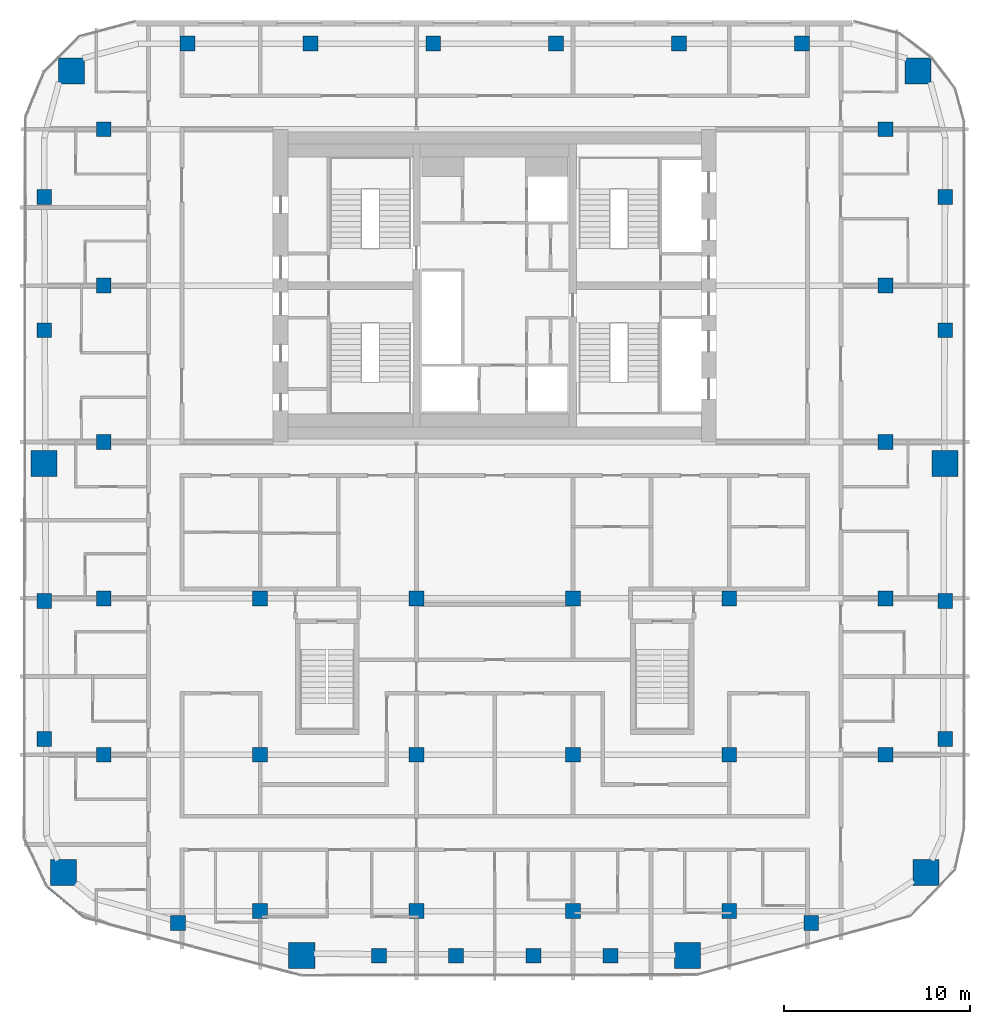
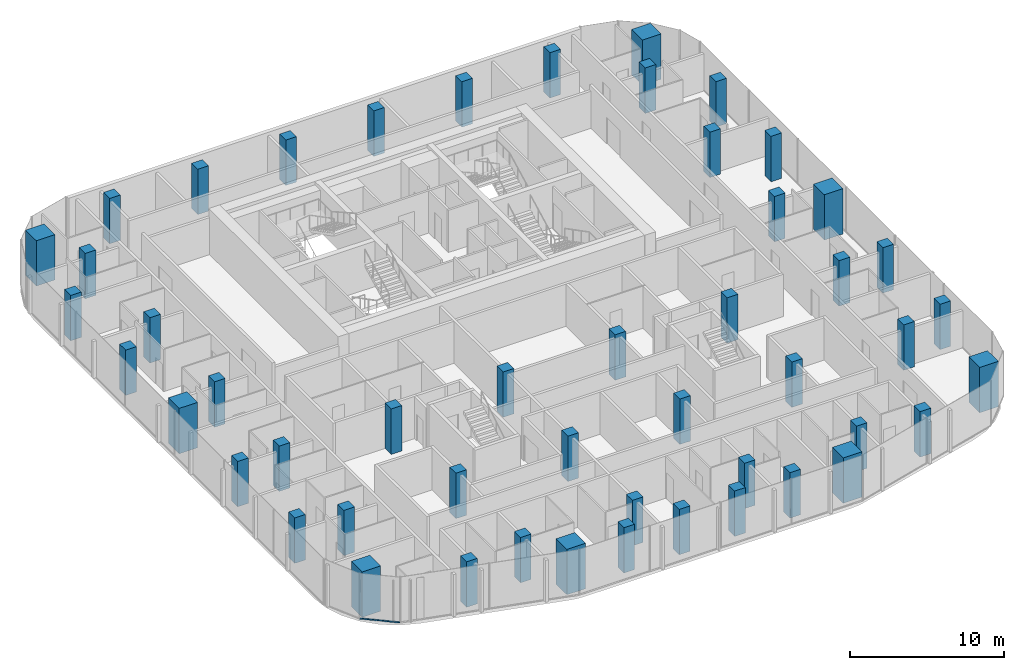
# One storey, part 1 of 22: 50 columns, 1 member, 1 element without a shape of its own.
"""IFC4 building model written with IfcOpenShell, lengths in metres."""

from ifc_helpers import new_model, si_unit, direction, frame, origin, origin_2d, place, context, subcontext, project, spatial, rectangle, extrude, material, layer, layer_set, material_profile, profile_set, type_object, element, aggregate, save


model = new_model("IFC4")

# Units and contexts
model_context = context("Model", 3, precision=1e-05, world=origin(), true_north=direction((0.0, 1.0)))
body_context = subcontext(model_context, "Body", "Model", "MODEL_VIEW")
ifc_project = project(units=[si_unit("LENGTHUNIT", "METRE"), si_unit("AREAUNIT", "SQUARE_METRE"), si_unit("VOLUMEUNIT", "CUBIC_METRE"), si_unit("PLANEANGLEUNIT", "RADIAN"), si_unit("MASSUNIT", "GRAM", prefix="KILO")], contexts=[model_context])

# Site, building, storey
site_placement = place(None, origin())
site = spatial("IfcSite", under=ifc_project, at=site_placement, CompositionType="ELEMENT")
building_placement = place(site_placement, origin())
building = spatial("IfcBuilding", under=site, at=building_placement, Name="Marenta Gate Hotel Tower", CompositionType="ELEMENT")
storey_placement = place(building_placement, frame((0.0, 0.0, 223.699951171875)))
storey = spatial("IfcBuildingStorey", under=building, at=storey_placement, Name="L52", CompositionType="ELEMENT", Elevation=223.699951171875)

# Columns
ifc_material_1 = material(Name="Concrete C60", Category="concrete")
ifc_material_profile_1 = material_profile(ifc_material_1, rectangle(XDim=0.800048828125, YDim=0.800048828125, at=origin_2d()), Name="800 x 800")
ifc_profile_set_1 = profile_set([ifc_material_profile_1], Name="Concrete C60")
column_type_1 = type_object("IfcColumnType", Name="Edge column 800 x 800 C60", PredefinedType="COLUMN", material=ifc_profile_set_1)
for number, where, z_axis, x_axis, name in (
    (1, (-24.199951171875, -15.951904296875, 0.0), (0.0, 0.0, 1.0), (1.0, 0.0, 0.0), "L52-EC-SW-W-1"),
    (2, (-24.199951171875, -8.55078125, 0.0), (0.0, 0.0, 1.0), (1.0, 0.0, 0.0), "L52-EC-SW-W-2"),
    (3, (-24.199951171875, 6.003173828125, 0.0), (0.0, 0.0, 1.0), (1.0, 0.0, 0.0), "L52-EC-W-NW-1"),
    (4, (-24.199951171875, 13.156494140625, 0.0), (0.0, 0.0, 1.0), (1.0, 0.0, 0.0), "L52-EC-W-NW-2"),
    (5, (-16.5068359375, 21.39990234375, 0.0), (0.0, 0.0, 1.0), (1.0, 0.0, 0.0), "L52-EC-NW-NE-1"),
    (6, (-9.904052734375, 21.39990234375, 0.0), (0.0, 0.0, 1.0), (1.0, 0.0, 0.0), "L52-EC-NW-NE-2"),
    (7, (-3.301513671875, 21.39990234375, 0.0), (0.0, 0.0, 1.0), (1.0, 0.0, 0.0), "L52-EC-NW-NE-3"),
    (8, (3.301513671875, 21.39990234375, 0.0), (0.0, 0.0, 1.0), (1.0, 0.0, 0.0), "L52-EC-NW-NE-4"),
    (9, (9.904052734375, 21.39990234375, 0.0), (0.0, 0.0, 1.0), (1.0, 0.0, 0.0), "L52-EC-NW-NE-5"),
    (10, (16.5068359375, 21.39990234375, 0.0), (0.0, 0.0, 1.0), (1.0, 0.0, 0.0), "L52-EC-NW-NE-6"),
    (11, (24.199951171875, 13.156494140625, 0.0), (0.0, 0.0, 1.0), (1.0, 0.0, 0.0), "L52-EC-NE-E-1"),
    (12, (24.199951171875, 6.003173828125, 0.0), (0.0, 0.0, 1.0), (1.0, 0.0, 0.0), "L52-EC-NE-E-2"),
    (13, (24.199951171875, -8.55078125, 0.0), (0.0, 0.0, 1.0), (1.0, 0.0, 0.0), "L52-EC-E-SE-1"),
    (14, (24.199951171875, -15.951904296875, 0.0), (0.0, 0.0, 1.0), (1.0, 0.0, 0.0), "L52-EC-E-SE-2"),
    (15, (17.0068359375, -25.839111328125, 0.0), (0.0, 0.0, 1.0), (1.0, 0.0, 0.0), "L52-EC-SE-SKE-1"),
    (16, (6.22021484375, -27.60009765625, 0.0), (0.0, 0.0, 1.0), (1.0, 0.0, 0.0), "L52-EC-SKE-SKW-1"),
    (17, (2.073486328125, -27.60009765625, 0.0), (0.0, 0.0, 1.0), (1.0, 0.0, 0.0), "L52-EC-SKE-SKW-2"),
    (18, (-2.073486328125, -27.60009765625, 0.0), (0.0, 0.0, 1.0), (1.0, 0.0, 0.0), "L52-EC-SKE-SKW-3"),
    (19, (-6.22021484375, -27.60009765625, 0.0), (0.0, 0.0, 1.0), (1.0, 0.0, 0.0), "L52-EC-SKE-SKW-4"),
    (20, (-17.0068359375, -25.839111328125, 0.0), (0.0, 0.0, 1.0), (1.0, 0.0, 0.0), "L52-EC-SKW-SW-1"),
):
    element("IfcColumn", number, at=place(storey_placement, frame(where, z_axis=z_axis, x_axis=x_axis)), inside=storey, type_object=column_type_1, Name=name, PredefinedType="COLUMN", context=body_context, shape_type="SweptSolid", body=[
        extrude(rectangle(XDim=0.800048828125, YDim=0.800048828125, at=origin_2d()), origin(), (0.0, 0.0, 1.0), 3.60009765625),
    ])
ifc_material_2 = material(Name="Concrete C60", Category="concrete")
ifc_material_profile_2 = material_profile(ifc_material_2, rectangle(XDim=0.800048828125, YDim=0.800048828125, at=origin_2d()), Name="800 x 800")
ifc_profile_set_2 = profile_set([ifc_material_profile_2], Name="Concrete C60")
column_type_2 = type_object("IfcColumnType", Name="Interior column 800 x 800 C60", PredefinedType="COLUMN", material=ifc_profile_set_2)
for number, where, z_axis, x_axis, name in (
    (21, (-21.0, -16.800048828125, 0.0), (0.0, 0.0, 1.0), (1.0, 0.0, 0.0), "L52-IC-4D"),
    (22, (-21.0, -8.39990234375, 0.0), (0.0, 0.0, 1.0), (1.0, 0.0, 0.0), "L52-IC-4E"),
    (23, (-21.0, 0.0, 0.0), (0.0, 0.0, 1.0), (1.0, 0.0, 0.0), "L52-IC-4F"),
    (24, (-21.0, 8.39990234375, 0.0), (0.0, 0.0, 1.0), (1.0, 0.0, 0.0), "L52-IC-4G"),
    (25, (-21.0, 16.800048828125, 0.0), (0.0, 0.0, 1.0), (1.0, 0.0, 0.0), "L52-IC-4H"),
    (26, (-12.60009765625, -25.199951171875, 0.0), (0.0, 0.0, 1.0), (1.0, 0.0, 0.0), "L52-IC-5C"),
    (27, (-12.60009765625, -16.800048828125, 0.0), (0.0, 0.0, 1.0), (1.0, 0.0, 0.0), "L52-IC-5D"),
    (28, (-12.60009765625, -8.39990234375, 0.0), (0.0, 0.0, 1.0), (1.0, 0.0, 0.0), "L52-IC-5E"),
    (29, (-4.199951171875, -25.199951171875, 0.0), (0.0, 0.0, 1.0), (1.0, 0.0, 0.0), "L52-IC-6C"),
    (30, (-4.199951171875, -16.800048828125, 0.0), (0.0, 0.0, 1.0), (1.0, 0.0, 0.0), "L52-IC-6D"),
    (31, (-4.199951171875, -8.39990234375, 0.0), (0.0, 0.0, 1.0), (1.0, 0.0, 0.0), "L52-IC-6E"),
    (32, (4.199951171875, -25.199951171875, 0.0), (0.0, 0.0, 1.0), (1.0, 0.0, 0.0), "L52-IC-7C"),
    (33, (4.199951171875, -16.800048828125, 0.0), (0.0, 0.0, 1.0), (1.0, 0.0, 0.0), "L52-IC-7D"),
    (34, (4.199951171875, -8.39990234375, 0.0), (0.0, 0.0, 1.0), (1.0, 0.0, 0.0), "L52-IC-7E"),
    (35, (12.60009765625, -25.199951171875, 0.0), (0.0, 0.0, 1.0), (1.0, 0.0, 0.0), "L52-IC-8C"),
    (36, (12.60009765625, -16.800048828125, 0.0), (0.0, 0.0, 1.0), (1.0, 0.0, 0.0), "L52-IC-8D"),
    (37, (12.60009765625, -8.39990234375, 0.0), (0.0, 0.0, 1.0), (1.0, 0.0, 0.0), "L52-IC-8E"),
    (38, (21.0, -16.800048828125, 0.0), (0.0, 0.0, 1.0), (1.0, 0.0, 0.0), "L52-IC-9D"),
    (39, (21.0, -8.39990234375, 0.0), (0.0, 0.0, 1.0), (1.0, 0.0, 0.0), "L52-IC-9E"),
    (40, (21.0, 0.0, 0.0), (0.0, 0.0, 1.0), (1.0, 0.0, 0.0), "L52-IC-9F"),
    (41, (21.0, 8.39990234375, 0.0), (0.0, 0.0, 1.0), (1.0, 0.0, 0.0), "L52-IC-9G"),
    (42, (21.0, 16.800048828125, 0.0), (0.0, 0.0, 1.0), (1.0, 0.0, 0.0), "L52-IC-9H"),
):
    element("IfcColumn", number, at=place(storey_placement, frame(where, z_axis=z_axis, x_axis=x_axis)), inside=storey, type_object=column_type_2, Name=name, PredefinedType="COLUMN", context=body_context, shape_type="SweptSolid", body=[
        extrude(rectangle(XDim=0.800048828125, YDim=0.800048828125, at=origin_2d()), origin(), (0.0, 0.0, 1.0), 3.60009765625),
    ])
ifc_material_3 = material(Name="Concrete C60", Category="concrete")
ifc_material_profile_3 = material_profile(ifc_material_3, rectangle(XDim=1.39990234375, YDim=1.39990234375, at=origin_2d()), Name="1400 x 1400")
ifc_profile_set_3 = profile_set([ifc_material_profile_3], Name="Concrete C60")
column_type_3 = type_object("IfcColumnType", Name="Mega column 1400 x 1400 C60", PredefinedType="COLUMN", material=ifc_profile_set_3)
for number, where, z_axis, x_axis, name in (
    (43, (-23.1630859375, -23.133056640625, 0.0), (0.0, 0.0, 1.0), (1.0, 0.0, 0.0), "L52-MC-SW"),
    (44, (-10.3662109375, -27.57470703125, 0.0), (0.0, 0.0, 1.0), (1.0, 0.0, 0.0), "L52-MC-SKW"),
    (45, (10.3662109375, -27.57470703125, 0.0), (0.0, 0.0, 1.0), (1.0, 0.0, 0.0), "L52-MC-SKE"),
    (46, (23.1630859375, -23.133056640625, 0.0), (0.0, 0.0, 1.0), (1.0, 0.0, 0.0), "L52-MC-SE"),
    (47, (24.199951171875, -1.14990234375, 0.0), (0.0, 0.0, 1.0), (1.0, 0.0, 0.0), "L52-MC-E"),
    (48, (22.735595703125, 19.935546875, 0.0), (0.0, 0.0, 1.0), (1.0, 0.0, 0.0), "L52-MC-NE"),
    (49, (-22.735595703125, 19.935546875, 0.0), (0.0, 0.0, 1.0), (1.0, 0.0, 0.0), "L52-MC-NW"),
    (50, (-24.199951171875, -1.14990234375, 0.0), (0.0, 0.0, 1.0), (1.0, 0.0, 0.0), "L52-MC-W"),
):
    element("IfcColumn", number, at=place(storey_placement, frame(where, z_axis=z_axis, x_axis=x_axis)), inside=storey, type_object=column_type_3, Name=name, PredefinedType="COLUMN", context=body_context, shape_type="SweptSolid", body=[
        extrude(rectangle(XDim=1.39990234375, YDim=1.39990234375, at=origin_2d()), origin(), (0.0, 0.0, 1.0), 3.60009765625),
    ])

# Curtain wall, member
ifc_material_4 = material(Name="Tinted insulated glass in bronze anodised frame", Category="glass")
ifc_layer = layer(ifc_material_4, 0.1201171875)
ifc_layer_set = layer_set([ifc_layer], Name="Tinted insulated glass in bronze anodised frame")
curtain_wall_type = type_object("IfcCurtainWallType", Name="Tower unitised curtain wall CW1", PredefinedType="NOTDEFINED", material=ifc_layer_set)
curtain_wall_placement = place(storey_placement, origin())
curtain_wall = element("IfcCurtainWall", 51, at=curtain_wall_placement, inside=storey, type_object=curtain_wall_type, Name="CW1 run G05", PredefinedType="NOTDEFINED")
ifc_material_5 = material(Name="Bronze anodised aluminium", Category="aluminium")
ifc_material_profile_4 = material_profile(ifc_material_5, rectangle(XDim=0.1201171875, YDim=0.06005859375, at=origin_2d()), Name="Transom CW1 60x120 bronze anodised aluminium")
ifc_profile_set_4 = profile_set([ifc_material_profile_4], Name="Bronze anodised aluminium")
member_type = type_object("IfcMemberType", Name="Transom CW1 60x120 bronze anodised aluminium", PredefinedType="USERDEFINED", material=ifc_profile_set_4)
member_placement = place(storey_placement, frame((-24.036865234375, -23.879150390625, 0.030029296875), z_axis=(0.767100312603, -0.641527170433, 0.0), x_axis=(0.641527170433, 0.767100312603, 0.0)))
member = element("IfcMember", 52, at=member_placement, type_object=member_type, Name="CW1 transom 1.1", ObjectType="TRANSOM", PredefinedType="USERDEFINED", context=body_context, shape_type="SweptSolid", body=[
    extrude(rectangle(XDim=0.1201171875, YDim=0.06005859375, at=origin_2d()), origin(), (0.0, 0.0, 1.0), 2.609130859375),
])
aggregate(curtain_wall, [member])

save(model, "model.ifc")
